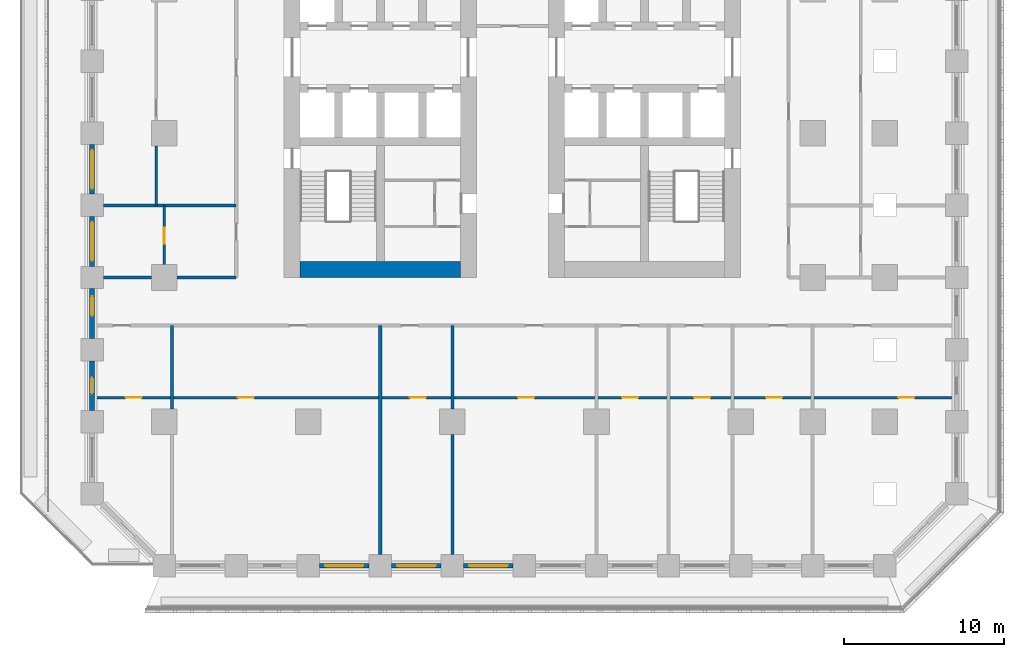
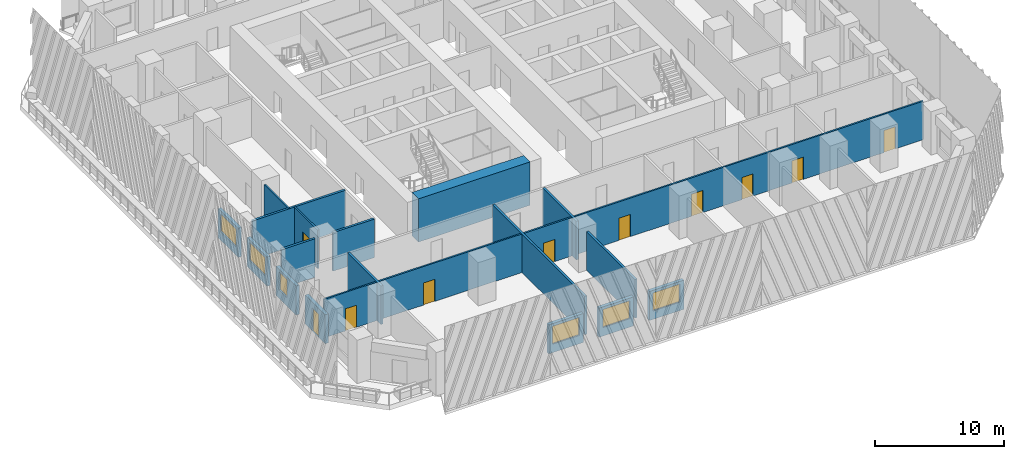
# One storey, part 3 of 15: 18 walls, 10 doors, 6 windows, 16 openings.
"""IFC4 building model written with IfcOpenShell, lengths in metres."""

from ifc_helpers import new_model, si_unit, direction, frame, frame_2d, origin, place, context, subcontext, project, spatial, rectangle, extrude, material, layer, layer_set, type_object, element, fill, save


model = new_model("IFC4")

# Units and contexts
model_context = context("Model", 3, precision=1e-05, world=origin(), true_north=direction((0.0, 1.0)))
body_context = subcontext(model_context, "Body", "Model", "MODEL_VIEW")
ifc_project = project(units=[si_unit("LENGTHUNIT", "METRE"), si_unit("AREAUNIT", "SQUARE_METRE"), si_unit("VOLUMEUNIT", "CUBIC_METRE"), si_unit("PLANEANGLEUNIT", "RADIAN"), si_unit("MASSUNIT", "GRAM", prefix="KILO")], contexts=[model_context])

# Site, building, storey
site_placement = place(None, origin())
site = spatial("IfcSite", under=ifc_project, at=site_placement, CompositionType="ELEMENT")
building_placement = place(site_placement, origin())
building = spatial("IfcBuilding", under=site, at=building_placement, Name="Corbel Stack Research Tower", CompositionType="ELEMENT")
storey_placement = place(building_placement, frame((0.0, 0.0, 41.89990234375)))
storey = spatial("IfcBuildingStorey", under=building, at=storey_placement, Name="L09", CompositionType="ELEMENT", Elevation=41.89990234375)

# Walls
ifc_material_1 = material(Name="Concrete C70/85", Category="concrete")
ifc_layer_1 = layer(ifc_material_1, 1.0)
ifc_layer_set_1 = layer_set([ifc_layer_1], Name="Concrete C70/85")
wall_type_1 = type_object("IfcWallType", Name="CW-1000-70", PredefinedType="SHEAR", material=ifc_layer_set_1)
wall_1_placement = place(storey_placement, frame((-9.5, -8.5, 0.0), z_axis=(0.0, 0.0, 1.0), x_axis=(1.0, 0.0, 0.0)))
element("IfcWall", 1, at=wall_1_placement, inside=storey, type_object=wall_type_1, Name="West core wall, south end L09", PredefinedType="SHEAR", context=body_context, shape_type="SweptSolid", body=[
    extrude(rectangle(XDim=10.0, YDim=1.0, at=frame_2d((5.0, 0.0))), origin(), (0.0, 0.0, 1.0), 4.10009765625),
])
ifc_material_2 = material(Name="Fire-rated gypsum board partition on steel studs", Category="steel")
ifc_layer_2 = layer(ifc_material_2, 0.199951171875)
ifc_layer_set_2 = layer_set([ifc_layer_2], Name="Fire-rated gypsum board partition on steel studs")
wall_type_2 = type_object("IfcWallType", Name="Fire-rated partition 200 EI 60", PredefinedType="PARTITIONING", material=ifc_layer_set_2)
wall_2_placement = place(storey_placement, frame((-17.5, -17.199951171875, 0.0), z_axis=(0.0, 0.0, 1.0), x_axis=(0.0, 1.0, 0.0)))
element("IfcWall", 2, at=wall_2_placement, inside=storey, type_object=wall_type_2, Name="Partition L09-007", PredefinedType="PARTITIONING", context=body_context, shape_type="SweptSolid", body=[
    extrude(rectangle(XDim=5.199951171875, YDim=0.199951171875, at=frame_2d((2.60009765625, 0.0))), origin(), (0.0, 0.0, 1.0), 3.650146484375),
])
wall_3_placement = place(storey_placement, frame((-4.5, -26.300048828125, 0.0), z_axis=(0.0, 0.0, 1.0), x_axis=(0.0, 1.0, 0.0)))
element("IfcWall", 3, at=wall_3_placement, inside=storey, type_object=wall_type_2, Name="Partition L09-009", PredefinedType="PARTITIONING", context=body_context, shape_type="SweptSolid", body=[
    extrude(rectangle(XDim=14.300048828125, YDim=0.199951171875, at=frame_2d((7.14990234375, 0.0))), origin(), (0.0, 0.0, 1.0), 3.650146484375),
])
wall_4_placement = place(storey_placement, frame((0.0, -26.300048828125, 0.0), z_axis=(0.0, 0.0, 1.0), x_axis=(0.0, 1.0, 0.0)))
element("IfcWall", 4, at=wall_4_placement, inside=storey, type_object=wall_type_2, Name="Partition L09-011", PredefinedType="PARTITIONING", context=body_context, shape_type="SweptSolid", body=[
    extrude(rectangle(XDim=7.5, YDim=0.199951171875, at=frame_2d((3.75, 0.0))), origin(), (0.0, 0.0, 1.0), 3.650146484375),
])
wall_5_placement = place(storey_placement, frame((0.0, -17.199951171875, 0.0), z_axis=(0.0, 0.0, 1.0), x_axis=(0.0, 1.0, 0.0)))
element("IfcWall", 5, at=wall_5_placement, inside=storey, type_object=wall_type_2, Name="Partition L09-012", PredefinedType="PARTITIONING", context=body_context, shape_type="SweptSolid", body=[
    extrude(rectangle(XDim=5.199951171875, YDim=0.199951171875, at=frame_2d((2.60009765625, 0.0))), origin(), (0.0, 0.0, 1.0), 3.650146484375),
])
wall_6_placement = place(storey_placement, frame((-21.800048828125, -9.0, 0.0), z_axis=(0.0, 0.0, 1.0), x_axis=(1.0, 0.0, 0.0)))
element("IfcWall", 6, at=wall_6_placement, inside=storey, type_object=wall_type_2, Name="Partition L09-029", PredefinedType="PARTITIONING", context=body_context, shape_type="SweptSolid", body=[
    extrude(rectangle(XDim=3.0, YDim=0.199951171875, at=frame_2d((1.5, 0.0))), origin(), (0.0, 0.0, 1.0), 3.650146484375),
])
wall_7_placement = place(storey_placement, frame((-17.199951171875, -9.0, 0.0), z_axis=(0.0, 0.0, 1.0), x_axis=(1.0, 0.0, 0.0)))
element("IfcWall", 7, at=wall_7_placement, inside=storey, type_object=wall_type_2, Name="Partition L09-030", PredefinedType="PARTITIONING", context=body_context, shape_type="SweptSolid", body=[
    extrude(rectangle(XDim=3.699951171875, YDim=0.199951171875, at=frame_2d((1.85009765625, 0.0))), origin(), (0.0, 0.0, 1.0), 3.650146484375),
])
wall_8_placement = place(storey_placement, frame((-21.800048828125, -4.5, 0.0), z_axis=(0.0, 0.0, 1.0), x_axis=(1.0, 0.0, 0.0)))
element("IfcWall", 8, at=wall_8_placement, inside=storey, type_object=wall_type_2, Name="Partition L09-034", PredefinedType="PARTITIONING", context=body_context, shape_type="SweptSolid", body=[
    extrude(rectangle(XDim=8.300048828125, YDim=0.199951171875, at=frame_2d((4.14990234375, 0.0))), origin(), (0.0, 0.0, 1.0), 3.650146484375),
])
ifc_material_3 = material(Name="Gypsum board partition on steel studs", Category="steel")
ifc_layer_3 = layer(ifc_material_3, 0.14990234375)
ifc_layer_set_3 = layer_set([ifc_layer_3], Name="Gypsum board partition on steel studs")
wall_type_3 = type_object("IfcWallType", Name="Partition 150", PredefinedType="PARTITIONING", material=ifc_layer_set_3)
wall_9_placement = place(storey_placement, frame((-18.5, -4.5, 0.0), z_axis=(0.0, 0.0, 1.0), x_axis=(0.0, 1.0, 0.0)))
element("IfcWall", 9, at=wall_9_placement, inside=storey, type_object=wall_type_3, Name="Partition L09-001", PredefinedType="PARTITIONING", context=body_context, shape_type="SweptSolid", body=[
    extrude(rectangle(XDim=3.699951171875, YDim=0.14990234375, at=frame_2d((1.85009765625, 0.0))), origin(), (0.0, 0.0, 1.0), 3.650146484375),
])

# Wall, opening, door
wall_10_placement = place(storey_placement, frame((-18.0, -8.199951171875, 0.0), z_axis=(0.0, 0.0, 1.0), x_axis=(0.0, 1.0, 0.0)))
wall_10 = element("IfcWall", 10, at=wall_10_placement, inside=storey, type_object=wall_type_3, Name="Partition L09-003", PredefinedType="PARTITIONING", context=body_context, shape_type="SweptSolid", body=[
    extrude(rectangle(XDim=3.699951171875, YDim=0.14990234375, at=frame_2d((1.85009765625, 0.0))), origin(), (0.0, 0.0, 1.0), 3.650146484375),
])
opening_1_placement = place(wall_10_placement, frame((1.300048828125, 0.0, 0.0)))
opening_1 = element("IfcOpeningElement", 11, at=opening_1_placement, cuts=wall_10, Name="Opening B2V0H-002", PredefinedType="OPENING", context=body_context, shape_type="SweptSolid", body=[
    extrude(rectangle(XDim=1.0, YDim=2.10009765625, at=frame_2d((0.5, 1.050048828125))), frame((0.0, 0.0849609375, 0.0), z_axis=(0.0, -1.0, 0.0), x_axis=(1.0, 0.0, 0.0)), (0.0, 0.0, 1.0), 0.169921875),
])
ifc_material_4 = material(Name="Painted timber door", Category="wood")
door_type_1 = type_object("IfcDoorType", Name="Single door 1000 x 2100", OperationType="NOTDEFINED", PredefinedType="DOOR", material=ifc_material_4)
door_1_placement = place(opening_1_placement, origin())
door_1 = element("IfcDoor", 12, at=door_1_placement, inside=storey, type_object=door_type_1, Name="Door B2V0H-002", OperationType="SINGLE_SWING_LEFT", OverallHeight=2.10009765625, OverallWidth=1.0, PredefinedType="DOOR", context=body_context, shape_type="SweptSolid", body=[
    extrude(rectangle(XDim=1.0, YDim=2.10009765625, at=frame_2d((0.5, 1.050048828125))), frame((0.0, 0.02490234375, 0.0), z_axis=(0.0, -1.0, 0.0), x_axis=(1.0, 0.0, 0.0)), (0.0, 0.0, 1.0), 0.050048828125),
])
fill(opening_1, door_1)

# Wall, openings, doors
wall_11_placement = place(storey_placement, frame((31.35009765625, -16.5, 0.0), z_axis=(0.0, 0.0, 1.0), x_axis=(-1.0, 0.0, 0.0)))
wall_11 = element("IfcWall", 13, at=wall_11_placement, inside=storey, type_object=wall_type_3, Name="Partition L09-027", PredefinedType="PARTITIONING", context=body_context, shape_type="SweptSolid", body=[
    extrude(rectangle(XDim=53.7001953125, YDim=0.14990234375, at=frame_2d((26.85009765625, 0.0))), origin(), (0.0, 0.0, 1.0), 3.650146484375),
])
opening_2_placement = place(wall_11_placement, frame((50.75, 0.0, 0.0)))
opening_2 = element("IfcOpeningElement", 14, at=opening_2_placement, cuts=wall_11, Name="Opening B2V0H-005", PredefinedType="OPENING", context=body_context, shape_type="SweptSolid", body=[
    extrude(rectangle(XDim=1.0, YDim=2.10009765625, at=frame_2d((0.5, 1.050048828125))), frame((0.0, 0.0849609375, 0.0), z_axis=(0.0, -1.0, 0.0), x_axis=(1.0, 0.0, 0.0)), (0.0, 0.0, 1.0), 0.169921875),
])
opening_3_placement = place(wall_11_placement, frame((43.75, 0.0, 0.0)))
opening_3 = element("IfcOpeningElement", 15, at=opening_3_placement, cuts=wall_11, Name="Opening B2V0H-006", PredefinedType="OPENING", context=body_context, shape_type="SweptSolid", body=[
    extrude(rectangle(XDim=1.0, YDim=2.10009765625, at=frame_2d((0.5, 1.050048828125))), frame((0.0, 0.0849609375, 0.0), z_axis=(0.0, -1.0, 0.0), x_axis=(1.0, 0.0, 0.0)), (0.0, 0.0, 1.0), 0.169921875),
])
opening_4_placement = place(wall_11_placement, frame((33.0, 0.0, 0.0)))
opening_4 = element("IfcOpeningElement", 16, at=opening_4_placement, cuts=wall_11, Name="Opening B2V0H-007", PredefinedType="OPENING", context=body_context, shape_type="SweptSolid", body=[
    extrude(rectangle(XDim=1.0, YDim=2.10009765625, at=frame_2d((0.5, 1.050048828125))), frame((0.0, 0.0849609375, 0.0), z_axis=(0.0, -1.0, 0.0), x_axis=(1.0, 0.0, 0.0)), (0.0, 0.0, 1.0), 0.169921875),
])
opening_5_placement = place(wall_11_placement, frame((26.25, 0.0, 0.0)))
opening_5 = element("IfcOpeningElement", 17, at=opening_5_placement, cuts=wall_11, Name="Opening B2V0H-008", PredefinedType="OPENING", context=body_context, shape_type="SweptSolid", body=[
    extrude(rectangle(XDim=1.0, YDim=2.10009765625, at=frame_2d((0.5, 1.050048828125))), frame((0.0, 0.0849609375, 0.0), z_axis=(0.0, -1.0, 0.0), x_axis=(1.0, 0.0, 0.0)), (0.0, 0.0, 1.0), 0.169921875),
])
opening_6_placement = place(wall_11_placement, frame((19.75, 0.0, 0.0)))
opening_6 = element("IfcOpeningElement", 18, at=opening_6_placement, cuts=wall_11, Name="Opening B2V0H-009", PredefinedType="OPENING", context=body_context, shape_type="SweptSolid", body=[
    extrude(rectangle(XDim=1.0, YDim=2.10009765625, at=frame_2d((0.5, 1.050048828125))), frame((0.0, 0.0849609375, 0.0), z_axis=(0.0, -1.0, 0.0), x_axis=(1.0, 0.0, 0.0)), (0.0, 0.0, 1.0), 0.169921875),
])
opening_7_placement = place(wall_11_placement, frame((15.25, 0.0, 0.0)))
opening_7 = element("IfcOpeningElement", 19, at=opening_7_placement, cuts=wall_11, Name="Opening B2V0H-010", PredefinedType="OPENING", context=body_context, shape_type="SweptSolid", body=[
    extrude(rectangle(XDim=1.0, YDim=2.10009765625, at=frame_2d((0.5, 1.050048828125))), frame((0.0, 0.0849609375, 0.0), z_axis=(0.0, -1.0, 0.0), x_axis=(1.0, 0.0, 0.0)), (0.0, 0.0, 1.0), 0.169921875),
])
opening_8_placement = place(wall_11_placement, frame((10.75, 0.0, 0.0)))
opening_8 = element("IfcOpeningElement", 20, at=opening_8_placement, cuts=wall_11, Name="Opening B2V0H-011", PredefinedType="OPENING", context=body_context, shape_type="SweptSolid", body=[
    extrude(rectangle(XDim=1.0, YDim=2.10009765625, at=frame_2d((0.5, 1.050048828125))), frame((0.0, 0.0849609375, 0.0), z_axis=(0.0, -1.0, 0.0), x_axis=(1.0, 0.0, 0.0)), (0.0, 0.0, 1.0), 0.169921875),
])
opening_9_placement = place(wall_11_placement, frame((2.5, 0.0, 0.0)))
opening_9 = element("IfcOpeningElement", 21, at=opening_9_placement, cuts=wall_11, Name="Opening B2V0H-012", PredefinedType="OPENING", context=body_context, shape_type="SweptSolid", body=[
    extrude(rectangle(XDim=1.0, YDim=2.10009765625, at=frame_2d((0.5, 1.050048828125))), frame((0.0, 0.0849609375, 0.0), z_axis=(0.0, -1.0, 0.0), x_axis=(1.0, 0.0, 0.0)), (0.0, 0.0, 1.0), 0.169921875),
])
door_2_placement = place(opening_2_placement, origin())
door_2 = element("IfcDoor", 22, at=door_2_placement, inside=storey, type_object=door_type_1, Name="Door B2V0H-005", OperationType="SINGLE_SWING_RIGHT", OverallHeight=2.10009765625, OverallWidth=1.0, PredefinedType="DOOR", context=body_context, shape_type="SweptSolid", body=[
    extrude(rectangle(XDim=1.0, YDim=2.10009765625, at=frame_2d((0.5, 1.050048828125))), frame((0.0, 0.02490234375, 0.0), z_axis=(0.0, -1.0, 0.0), x_axis=(1.0, 0.0, 0.0)), (0.0, 0.0, 1.0), 0.050048828125),
])
fill(opening_2, door_2)
door_3_placement = place(opening_3_placement, origin())
door_3 = element("IfcDoor", 23, at=door_3_placement, inside=storey, type_object=door_type_1, Name="Door B2V0H-006", OperationType="SINGLE_SWING_RIGHT", OverallHeight=2.10009765625, OverallWidth=1.0, PredefinedType="DOOR", context=body_context, shape_type="SweptSolid", body=[
    extrude(rectangle(XDim=1.0, YDim=2.10009765625, at=frame_2d((0.5, 1.050048828125))), frame((0.0, 0.02490234375, 0.0), z_axis=(0.0, -1.0, 0.0), x_axis=(1.0, 0.0, 0.0)), (0.0, 0.0, 1.0), 0.050048828125),
])
fill(opening_3, door_3)
door_4_placement = place(opening_4_placement, origin())
door_4 = element("IfcDoor", 24, at=door_4_placement, inside=storey, type_object=door_type_1, Name="Door B2V0H-007", OperationType="SINGLE_SWING_RIGHT", OverallHeight=2.10009765625, OverallWidth=1.0, PredefinedType="DOOR", context=body_context, shape_type="SweptSolid", body=[
    extrude(rectangle(XDim=1.0, YDim=2.10009765625, at=frame_2d((0.5, 1.050048828125))), frame((0.0, 0.02490234375, 0.0), z_axis=(0.0, -1.0, 0.0), x_axis=(1.0, 0.0, 0.0)), (0.0, 0.0, 1.0), 0.050048828125),
])
fill(opening_4, door_4)
door_5_placement = place(opening_5_placement, origin())
door_5 = element("IfcDoor", 25, at=door_5_placement, inside=storey, type_object=door_type_1, Name="Door B2V0H-008", OperationType="SINGLE_SWING_LEFT", OverallHeight=2.10009765625, OverallWidth=1.0, PredefinedType="DOOR", context=body_context, shape_type="SweptSolid", body=[
    extrude(rectangle(XDim=1.0, YDim=2.10009765625, at=frame_2d((0.5, 1.050048828125))), frame((0.0, 0.02490234375, 0.0), z_axis=(0.0, -1.0, 0.0), x_axis=(1.0, 0.0, 0.0)), (0.0, 0.0, 1.0), 0.050048828125),
])
fill(opening_5, door_5)
door_6_placement = place(opening_6_placement, origin())
door_6 = element("IfcDoor", 26, at=door_6_placement, inside=storey, type_object=door_type_1, Name="Door B2V0H-009", OperationType="SINGLE_SWING_LEFT", OverallHeight=2.10009765625, OverallWidth=1.0, PredefinedType="DOOR", context=body_context, shape_type="SweptSolid", body=[
    extrude(rectangle(XDim=1.0, YDim=2.10009765625, at=frame_2d((0.5, 1.050048828125))), frame((0.0, 0.02490234375, 0.0), z_axis=(0.0, -1.0, 0.0), x_axis=(1.0, 0.0, 0.0)), (0.0, 0.0, 1.0), 0.050048828125),
])
fill(opening_6, door_6)
door_7_placement = place(opening_7_placement, origin())
door_7 = element("IfcDoor", 27, at=door_7_placement, inside=storey, type_object=door_type_1, Name="Door B2V0H-010", OperationType="SINGLE_SWING_LEFT", OverallHeight=2.10009765625, OverallWidth=1.0, PredefinedType="DOOR", context=body_context, shape_type="SweptSolid", body=[
    extrude(rectangle(XDim=1.0, YDim=2.10009765625, at=frame_2d((0.5, 1.050048828125))), frame((0.0, 0.02490234375, 0.0), z_axis=(0.0, -1.0, 0.0), x_axis=(1.0, 0.0, 0.0)), (0.0, 0.0, 1.0), 0.050048828125),
])
fill(opening_7, door_7)
door_8_placement = place(opening_8_placement, origin())
door_8 = element("IfcDoor", 28, at=door_8_placement, inside=storey, type_object=door_type_1, Name="Door B2V0H-011", OperationType="SINGLE_SWING_LEFT", OverallHeight=2.10009765625, OverallWidth=1.0, PredefinedType="DOOR", context=body_context, shape_type="SweptSolid", body=[
    extrude(rectangle(XDim=1.0, YDim=2.10009765625, at=frame_2d((0.5, 1.050048828125))), frame((0.0, 0.02490234375, 0.0), z_axis=(0.0, -1.0, 0.0), x_axis=(1.0, 0.0, 0.0)), (0.0, 0.0, 1.0), 0.050048828125),
])
fill(opening_8, door_8)
door_9_placement = place(opening_9_placement, origin())
door_9 = element("IfcDoor", 29, at=door_9_placement, inside=storey, type_object=door_type_1, Name="Door B2V0H-012", OperationType="SINGLE_SWING_LEFT", OverallHeight=2.10009765625, OverallWidth=1.0, PredefinedType="DOOR", context=body_context, shape_type="SweptSolid", body=[
    extrude(rectangle(XDim=1.0, YDim=2.10009765625, at=frame_2d((0.5, 1.050048828125))), frame((0.0, 0.02490234375, 0.0), z_axis=(0.0, -1.0, 0.0), x_axis=(1.0, 0.0, 0.0)), (0.0, 0.0, 1.0), 0.050048828125),
])
fill(opening_9, door_9)

# Wall, opening, window
ifc_material_5 = material(Name="Concrete C45/55", Category="concrete")
ifc_layer_4 = layer(ifc_material_5, 0.300048828125)
ifc_layer_set_4 = layer_set([ifc_layer_4], Name="Concrete C45/55")
wall_type_4 = type_object("IfcWallType", Name="Terracotta-faced concrete wall 300", PredefinedType="SOLIDWALL", material=ifc_layer_set_4)
wall_12_placement = place(storey_placement, frame((-5.199951171875, -27.0, 0.0), z_axis=(0.0, 0.0, 1.0), x_axis=(-1.0, 0.0, 0.0)))
wall_12 = element("IfcWall", 30, at=wall_12_placement, inside=storey, type_object=wall_type_4, Name="Facade wall L09 S03", PredefinedType="SOLIDWALL", context=body_context, shape_type="SweptSolid", body=[
    extrude(rectangle(XDim=3.10009765625, YDim=0.300048828125, at=frame_2d((1.550048828125, 0.0))), origin(), (0.0, 0.0, 1.0), 2.75),
])
opening_10_placement = place(wall_12_placement, frame((0.35009765625, 0.0, 0.800048828125)))
opening_10 = element("IfcOpeningElement", 31, at=opening_10_placement, cuts=wall_12, Name="Opening W1", PredefinedType="OPENING", context=body_context, shape_type="SweptSolid", body=[
    extrude(rectangle(XDim=2.39990234375, YDim=1.699951171875, at=frame_2d((1.199951171875, 0.85009765625))), frame((0.0, 0.159912109375, 0.0), z_axis=(0.0, -1.0, 0.0), x_axis=(1.0, 0.0, 0.0)), (0.0, 0.0, 1.0), 0.320068359375),
])
ifc_material_6 = material(Name="Aluminium frame, clear double glazing", Category="aluminium")
window_type_1 = type_object("IfcWindowType", Name="Window W1 2400 x 1700", PartitioningType="SINGLE_PANEL", PredefinedType="WINDOW", material=ifc_material_6)
window_1_placement = place(opening_10_placement, origin())
window_1 = element("IfcWindow", 32, at=window_1_placement, inside=storey, type_object=window_type_1, Name="Window W1 L09 S03", OverallHeight=1.699951171875, OverallWidth=2.39990234375, PartitioningType="SINGLE_PANEL", PredefinedType="WINDOW", context=body_context, shape_type="SweptSolid", body=[
    extrude(rectangle(XDim=2.39990234375, YDim=1.699951171875, at=frame_2d((1.199951171875, 0.85009765625))), frame((0.0, 0.030029296875, 0.0), z_axis=(0.0, -1.0, 0.0), x_axis=(1.0, 0.0, 0.0)), (0.0, 0.0, 1.0), 0.06005859375),
])
fill(opening_10, window_1)

wall_13_placement = place(storey_placement, frame((-0.699951171875, -27.0, 0.0), z_axis=(0.0, 0.0, 1.0), x_axis=(-1.0, 0.0, 0.0)))
wall_13 = element("IfcWall", 33, at=wall_13_placement, inside=storey, type_object=wall_type_4, Name="Facade wall L09 S04", PredefinedType="SOLIDWALL", context=body_context, shape_type="SweptSolid", body=[
    extrude(rectangle(XDim=3.10009765625, YDim=0.300048828125, at=frame_2d((1.550048828125, 0.0))), origin(), (0.0, 0.0, 1.0), 2.75),
])
opening_11_placement = place(wall_13_placement, frame((0.35009765625, 0.0, 0.800048828125)))
opening_11 = element("IfcOpeningElement", 34, at=opening_11_placement, cuts=wall_13, Name="Opening W1", PredefinedType="OPENING", context=body_context, shape_type="SweptSolid", body=[
    extrude(rectangle(XDim=2.39990234375, YDim=1.699951171875, at=frame_2d((1.199951171875, 0.85009765625))), frame((0.0, 0.159912109375, 0.0), z_axis=(0.0, -1.0, 0.0), x_axis=(1.0, 0.0, 0.0)), (0.0, 0.0, 1.0), 0.320068359375),
])
window_2_placement = place(opening_11_placement, origin())
window_2 = element("IfcWindow", 35, at=window_2_placement, inside=storey, type_object=window_type_1, Name="Window W1 L09 S04", OverallHeight=1.699951171875, OverallWidth=2.39990234375, PartitioningType="SINGLE_PANEL", PredefinedType="WINDOW", context=body_context, shape_type="SweptSolid", body=[
    extrude(rectangle(XDim=2.39990234375, YDim=1.699951171875, at=frame_2d((1.199951171875, 0.85009765625))), frame((0.0, 0.030029296875, 0.0), z_axis=(0.0, -1.0, 0.0), x_axis=(1.0, 0.0, 0.0)), (0.0, 0.0, 1.0), 0.06005859375),
])
fill(opening_11, window_2)

wall_14_placement = place(storey_placement, frame((3.800048828125, -27.0, 0.0), z_axis=(0.0, 0.0, 1.0), x_axis=(-1.0, 0.0, 0.0)))
wall_14 = element("IfcWall", 36, at=wall_14_placement, inside=storey, type_object=wall_type_4, Name="Facade wall L09 S05", PredefinedType="SOLIDWALL", context=body_context, shape_type="SweptSolid", body=[
    extrude(rectangle(XDim=3.10009765625, YDim=0.300048828125, at=frame_2d((1.550048828125, 0.0))), origin(), (0.0, 0.0, 1.0), 2.75),
])
opening_12_placement = place(wall_14_placement, frame((0.35009765625, 0.0, 0.800048828125)))
opening_12 = element("IfcOpeningElement", 37, at=opening_12_placement, cuts=wall_14, Name="Opening W1", PredefinedType="OPENING", context=body_context, shape_type="SweptSolid", body=[
    extrude(rectangle(XDim=2.39990234375, YDim=1.699951171875, at=frame_2d((1.199951171875, 0.85009765625))), frame((0.0, 0.159912109375, 0.0), z_axis=(0.0, -1.0, 0.0), x_axis=(1.0, 0.0, 0.0)), (0.0, 0.0, 1.0), 0.320068359375),
])
window_3_placement = place(opening_12_placement, origin())
window_3 = element("IfcWindow", 38, at=window_3_placement, inside=storey, type_object=window_type_1, Name="Window W1 L09 S05", OverallHeight=1.699951171875, OverallWidth=2.39990234375, PartitioningType="SINGLE_PANEL", PredefinedType="WINDOW", context=body_context, shape_type="SweptSolid", body=[
    extrude(rectangle(XDim=2.39990234375, YDim=1.699951171875, at=frame_2d((1.199951171875, 0.85009765625))), frame((0.0, 0.030029296875, 0.0), z_axis=(0.0, -1.0, 0.0), x_axis=(1.0, 0.0, 0.0)), (0.0, 0.0, 1.0), 0.06005859375),
])
fill(opening_12, window_3)

wall_15_placement = place(storey_placement, frame((-22.5, -3.800048828125, 0.0), z_axis=(0.0, 0.0, 1.0), x_axis=(0.0, 1.0, 0.0)))
wall_15 = element("IfcWall", 39, at=wall_15_placement, inside=storey, type_object=wall_type_4, Name="Facade wall L09 W06", PredefinedType="SOLIDWALL", context=body_context, shape_type="SweptSolid", body=[
    extrude(rectangle(XDim=3.10009765625, YDim=0.300048828125, at=frame_2d((1.550048828125, 0.0))), origin(), (0.0, 0.0, 1.0), 2.75),
])
opening_13_placement = place(wall_15_placement, frame((0.35009765625, 0.0, 0.800048828125)))
opening_13 = element("IfcOpeningElement", 40, at=opening_13_placement, cuts=wall_15, Name="Opening W1", PredefinedType="OPENING", context=body_context, shape_type="SweptSolid", body=[
    extrude(rectangle(XDim=2.39990234375, YDim=1.699951171875, at=frame_2d((1.199951171875, 0.85009765625))), frame((0.0, 0.159912109375, 0.0), z_axis=(0.0, -1.0, 0.0), x_axis=(1.0, 0.0, 0.0)), (0.0, 0.0, 1.0), 0.320068359375),
])
window_4_placement = place(opening_13_placement, origin())
window_4 = element("IfcWindow", 41, at=window_4_placement, inside=storey, type_object=window_type_1, Name="Window W1 L09 W06", OverallHeight=1.699951171875, OverallWidth=2.39990234375, PartitioningType="SINGLE_PANEL", PredefinedType="WINDOW", context=body_context, shape_type="SweptSolid", body=[
    extrude(rectangle(XDim=2.39990234375, YDim=1.699951171875, at=frame_2d((1.199951171875, 0.85009765625))), frame((0.0, 0.030029296875, 0.0), z_axis=(0.0, -1.0, 0.0), x_axis=(1.0, 0.0, 0.0)), (0.0, 0.0, 1.0), 0.06005859375),
])
fill(opening_13, window_4)

wall_16_placement = place(storey_placement, frame((-22.5, -8.300048828125, 0.0), z_axis=(0.0, 0.0, 1.0), x_axis=(0.0, 1.0, 0.0)))
wall_16 = element("IfcWall", 42, at=wall_16_placement, inside=storey, type_object=wall_type_4, Name="Facade wall L09 W07", PredefinedType="SOLIDWALL", context=body_context, shape_type="SweptSolid", body=[
    extrude(rectangle(XDim=3.10009765625, YDim=0.300048828125, at=frame_2d((1.550048828125, 0.0))), origin(), (0.0, 0.0, 1.0), 2.75),
])
opening_14_placement = place(wall_16_placement, frame((0.35009765625, 0.0, 0.800048828125)))
opening_14 = element("IfcOpeningElement", 43, at=opening_14_placement, cuts=wall_16, Name="Opening W1", PredefinedType="OPENING", context=body_context, shape_type="SweptSolid", body=[
    extrude(rectangle(XDim=2.39990234375, YDim=1.699951171875, at=frame_2d((1.199951171875, 0.85009765625))), frame((0.0, 0.159912109375, 0.0), z_axis=(0.0, -1.0, 0.0), x_axis=(1.0, 0.0, 0.0)), (0.0, 0.0, 1.0), 0.320068359375),
])
window_5_placement = place(opening_14_placement, origin())
window_5 = element("IfcWindow", 44, at=window_5_placement, inside=storey, type_object=window_type_1, Name="Window W1 L09 W07", OverallHeight=1.699951171875, OverallWidth=2.39990234375, PartitioningType="SINGLE_PANEL", PredefinedType="WINDOW", context=body_context, shape_type="SweptSolid", body=[
    extrude(rectangle(XDim=2.39990234375, YDim=1.699951171875, at=frame_2d((1.199951171875, 0.85009765625))), frame((0.0, 0.030029296875, 0.0), z_axis=(0.0, -1.0, 0.0), x_axis=(1.0, 0.0, 0.0)), (0.0, 0.0, 1.0), 0.06005859375),
])
fill(opening_14, window_5)

wall_17_placement = place(storey_placement, frame((-22.5, -12.800048828125, 0.0), z_axis=(0.0, 0.0, 1.0), x_axis=(0.0, 1.0, 0.0)))
wall_17 = element("IfcWall", 45, at=wall_17_placement, inside=storey, type_object=wall_type_4, Name="Facade wall L09 W08", PredefinedType="SOLIDWALL", context=body_context, shape_type="SweptSolid", body=[
    extrude(rectangle(XDim=3.10009765625, YDim=0.300048828125, at=frame_2d((1.550048828125, 0.0))), origin(), (0.0, 0.0, 1.0), 2.75),
])
opening_15_placement = place(wall_17_placement, frame((1.425048828125, 0.0, 0.800048828125)))
opening_15 = element("IfcOpeningElement", 46, at=opening_15_placement, cuts=wall_17, Name="Opening W2", PredefinedType="OPENING", context=body_context, shape_type="SweptSolid", body=[
    extrude(rectangle(XDim=1.199951171875, YDim=1.699951171875, at=frame_2d((0.60009765625, 0.85009765625))), frame((0.0, 0.159912109375, 0.0), z_axis=(0.0, -1.0, 0.0), x_axis=(1.0, 0.0, 0.0)), (0.0, 0.0, 1.0), 0.320068359375),
])
ifc_material_7 = material(Name="Aluminium frame, clear double glazing", Category="aluminium")
window_type_2 = type_object("IfcWindowType", Name="Window W2 1200 x 1700", PartitioningType="SINGLE_PANEL", PredefinedType="WINDOW", material=ifc_material_7)
window_6_placement = place(opening_15_placement, origin())
window_6 = element("IfcWindow", 47, at=window_6_placement, inside=storey, type_object=window_type_2, Name="Window W2 L09 W08", OverallHeight=1.699951171875, OverallWidth=1.199951171875, PartitioningType="SINGLE_PANEL", PredefinedType="WINDOW", context=body_context, shape_type="SweptSolid", body=[
    extrude(rectangle(XDim=1.199951171875, YDim=1.699951171875, at=frame_2d((0.60009765625, 0.85009765625))), frame((0.0, 0.030029296875, 0.0), z_axis=(0.0, -1.0, 0.0), x_axis=(1.0, 0.0, 0.0)), (0.0, 0.0, 1.0), 0.06005859375),
])
fill(opening_15, window_6)

# Wall, opening, door
wall_18_placement = place(storey_placement, frame((-22.5, -17.300048828125, 0.0), z_axis=(0.0, 0.0, 1.0), x_axis=(0.0, 1.0, 0.0)))
wall_18 = element("IfcWall", 48, at=wall_18_placement, inside=storey, type_object=wall_type_4, Name="Facade wall L09 W09", PredefinedType="SOLIDWALL", context=body_context, shape_type="SweptSolid", body=[
    extrude(rectangle(XDim=3.10009765625, YDim=0.300048828125, at=frame_2d((1.550048828125, 0.0))), origin(), (0.0, 0.0, 1.0), 2.75),
])
opening_16_placement = place(wall_18_placement, frame((1.050048828125, 0.0, 0.0)))
opening_16 = element("IfcOpeningElement", 49, at=opening_16_placement, cuts=wall_18, Name="Opening L09-B11", PredefinedType="OPENING", context=body_context, shape_type="SweptSolid", body=[
    extrude(rectangle(XDim=1.0, YDim=2.199951171875, at=frame_2d((0.5, 1.10009765625))), frame((0.0, 0.159912109375, 0.0), z_axis=(0.0, -1.0, 0.0), x_axis=(1.0, 0.0, 0.0)), (0.0, 0.0, 1.0), 0.320068359375),
])
ifc_material_8 = material(Name="Aluminium frame, clear double glazing", Category="aluminium")
door_type_2 = type_object("IfcDoorType", Name="Balcony door BD1 1000 x 2200", OperationType="NOTDEFINED", PredefinedType="DOOR", material=ifc_material_8)
door_10_placement = place(opening_16_placement, origin())
door_10 = element("IfcDoor", 50, at=door_10_placement, inside=storey, type_object=door_type_2, Name="Balcony door L09-B11", OperationType="SINGLE_SWING_RIGHT", OverallHeight=2.199951171875, OverallWidth=1.0, PredefinedType="DOOR", context=body_context, shape_type="SweptSolid", body=[
    extrude(rectangle(XDim=1.0, YDim=2.199951171875, at=frame_2d((0.5, 1.10009765625))), frame((0.0, 0.02490234375, 0.0), z_axis=(0.0, -1.0, 0.0), x_axis=(1.0, 0.0, 0.0)), (0.0, 0.0, 1.0), 0.050048828125),
])
fill(opening_16, door_10)

save(model, "model.ifc")
